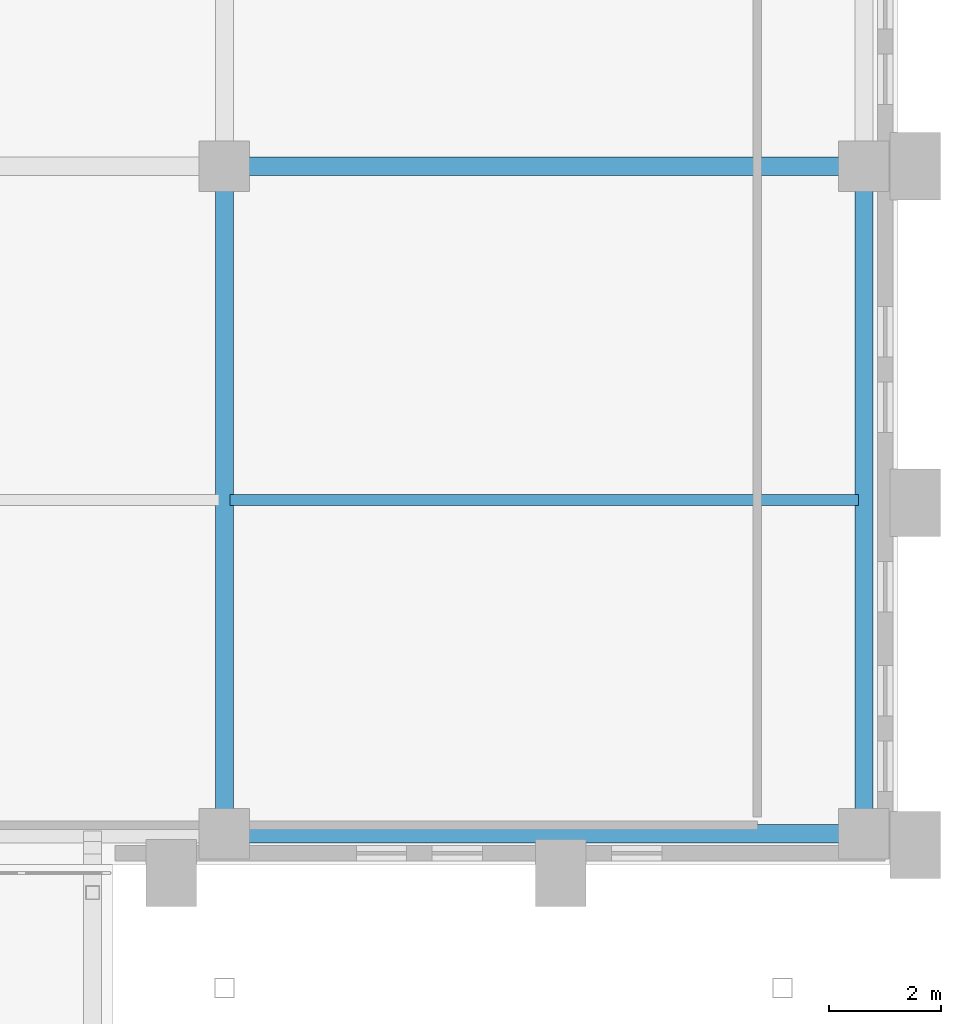
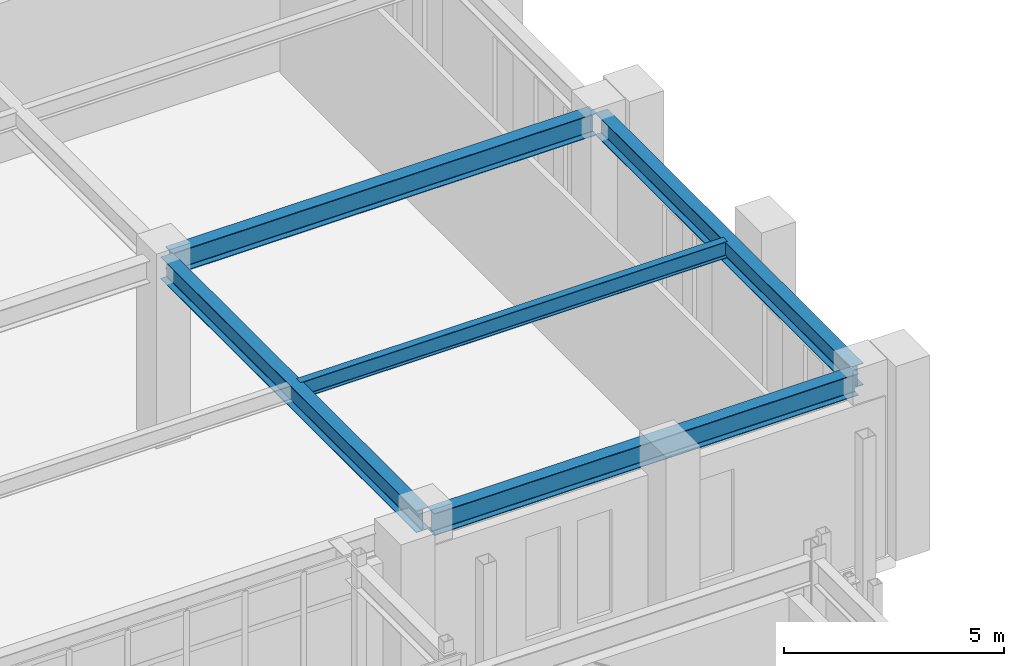
# One storey, part 79 of 159: 5 beams.
"""IFC4 building model written with IfcOpenShell, lengths in metres."""

from ifc_helpers import new_model, si_unit, derived_unit, direction, frame, origin, origin_2d, place, context, subcontext, project, spatial, i_section, extrude, material, material_profile, profile_set, type_object, element, save


model = new_model("IFC4")

# Units and contexts
model_context = context("Model", 3, precision=1e-05, world=origin(), true_north=direction((0.0, 1.0)))
body_context = subcontext(model_context, "Body", "Model", "MODEL_VIEW")
ifc_project = project(units=[si_unit("LENGTHUNIT", "METRE"), si_unit("AREAUNIT", "SQUARE_METRE"), si_unit("VOLUMEUNIT", "CUBIC_METRE"), si_unit("PLANEANGLEUNIT", "RADIAN"), si_unit("MASSUNIT", "GRAM", prefix="KILO"), derived_unit("THERMALTRANSMITTANCEUNIT", [(si_unit("MASSUNIT", "GRAM", prefix="KILO"), 1), (si_unit("TIMEUNIT", "SECOND"), -3), (si_unit("THERMODYNAMICTEMPERATUREUNIT", "KELVIN"), -1)])], contexts=[model_context])

# Site, building, storey
site_placement = place(None, origin())
site = spatial("IfcSite", under=ifc_project, at=site_placement, CompositionType="ELEMENT")
building_placement = place(site_placement, origin())
building = spatial("IfcBuilding", under=site, at=building_placement, Name="Valcora Ridge Arena", CompositionType="ELEMENT")
storey_placement = place(building_placement, frame((0.0, 0.0, 6.0)))
storey = spatial("IfcBuildingStorey", under=building, at=storey_placement, Name="L01", CompositionType="ELEMENT", Elevation=6.0)

# Beams
ifc_material = material(Name="Steel ASTM A572 Grade 50", Category="steel")
ifc_material_profile_1 = material_profile(ifc_material, i_section(OverallWidth=0.324951171875, OverallDepth=0.612060546875, WebThickness=0.0126953125, FlangeThickness=0.01904296875, FilletRadius=0.01806640625, at=origin_2d()), Name="W24X104")
ifc_profile_set_1 = profile_set([ifc_material_profile_1], Name="Steel ASTM A572 Grade 50")
beam_type_1 = type_object("IfcBeamType", Name="TY-BEAM-G-W24X104-X", PredefinedType="BEAM", material=ifc_profile_set_1)
beam_1_placement = place(storey_placement, frame((180.139892578125, 95.60009765625, 4.73388671875), z_axis=(1.0, 0.0, 0.0), x_axis=(0.0, 1.0, 0.0)))
element("IfcBeam", 1, at=beam_1_placement, inside=storey, type_object=beam_type_1, Name="G-W24X104-X BEM-G-W24X104-X-0034", PredefinedType="BEAM", context=body_context, shape_type="SweptSolid", body=[
    extrude(i_section(OverallWidth=0.324951171875, OverallDepth=0.612060546875, WebThickness=0.0126953125, FlangeThickness=0.01904296875, FilletRadius=0.01806640625, at=origin_2d()), origin(), (0.0, 0.0, 1.0), 11.1201171875),
])
ifc_material_profile_2 = material_profile(ifc_material, i_section(OverallWidth=0.324951171875, OverallDepth=0.612060546875, WebThickness=0.0126953125, FlangeThickness=0.01904296875, FilletRadius=0.01806640625, at=origin_2d()), Name="W24X104")
ifc_profile_set_2 = profile_set([ifc_material_profile_2], Name="Steel ASTM A572 Grade 50")
beam_type_2 = type_object("IfcBeamType", Name="TY-BEAM-G-W24X104-Y", PredefinedType="BEAM", material=ifc_profile_set_2)
for number, where, z_axis, x_axis, name in (
    (2, (180.0, 83.840087890625, 4.73388671875), (0.0, 1.0, 0.0), (-1.0, 0.0, 0.0), "G-W24X104-Y BEM-G-W24X104-Y-0065"),
    (3, (191.39990234375, 83.840087890625, 4.73388671875), (0.0, 1.0, 0.0), (-1.0, 0.0, 0.0), "G-W24X104-Y BEM-G-W24X104-Y-0069"),
):
    element("IfcBeam", number, at=place(storey_placement, frame(where, z_axis=z_axis, x_axis=x_axis)), inside=storey, type_object=beam_type_2, Name=name, PredefinedType="BEAM", context=body_context, shape_type="SweptSolid", body=[
        extrude(i_section(OverallWidth=0.324951171875, OverallDepth=0.612060546875, WebThickness=0.0126953125, FlangeThickness=0.01904296875, FilletRadius=0.01806640625, at=origin_2d()), origin(), (0.0, 0.0, 1.0), 11.619873046875),
    ])
ifc_material_profile_3 = material_profile(ifc_material, i_section(OverallWidth=0.18994140625, OverallDepth=0.45703125, WebThickness=0.009033203125, FlangeThickness=0.014404296875, FilletRadius=0.014892578125, at=origin_2d()), Name="W18X50")
ifc_profile_set_3 = profile_set([ifc_material_profile_3], Name="Steel ASTM A572 Grade 50")
beam_type_3 = type_object("IfcBeamType", Name="TY-BEAM-J-W18X50", PredefinedType="JOIST", material=ifc_profile_set_3)
beam_2_placement = place(storey_placement, frame((180.10009765625, 89.64990234375, 4.8115234375), z_axis=(1.0, 0.0, 0.0), x_axis=(0.0, 1.0, 0.0)))
element("IfcBeam", 4, at=beam_2_placement, inside=storey, type_object=beam_type_3, Name="J-W18X50 BEM-J-W18X50-0049", PredefinedType="JOIST", context=body_context, shape_type="SweptSolid", body=[
    extrude(i_section(OverallWidth=0.18994140625, OverallDepth=0.45703125, WebThickness=0.009033203125, FlangeThickness=0.014404296875, FilletRadius=0.014892578125, at=origin_2d()), origin(), (0.0, 0.0, 1.0), 11.199951171875),
])
ifc_material_profile_4 = material_profile(ifc_material, i_section(OverallWidth=0.324951171875, OverallDepth=0.612060546875, WebThickness=0.0126953125, FlangeThickness=0.01904296875, FilletRadius=0.01806640625, at=origin_2d()), Name="W24X104")
ifc_profile_set_4 = profile_set([ifc_material_profile_4], Name="Steel ASTM A572 Grade 50")
beam_type_4 = type_object("IfcBeamType", Name="TY-BEAM-SP-W24X104", PredefinedType="SPANDREL", material=ifc_profile_set_4)
beam_3_placement = place(storey_placement, frame((180.139892578125, 83.699951171875, 4.73388671875), z_axis=(1.0, 0.0, 0.0), x_axis=(0.0, 1.0, 0.0)))
element("IfcBeam", 5, at=beam_3_placement, inside=storey, type_object=beam_type_4, Name="SP-W24X104 BEM-SP-W24X104-0020", PredefinedType="SPANDREL", context=body_context, shape_type="SweptSolid", body=[
    extrude(i_section(OverallWidth=0.324951171875, OverallDepth=0.612060546875, WebThickness=0.0126953125, FlangeThickness=0.01904296875, FilletRadius=0.01806640625, at=origin_2d()), origin(), (0.0, 0.0, 1.0), 11.1201171875),
])

save(model, "model.ifc")
